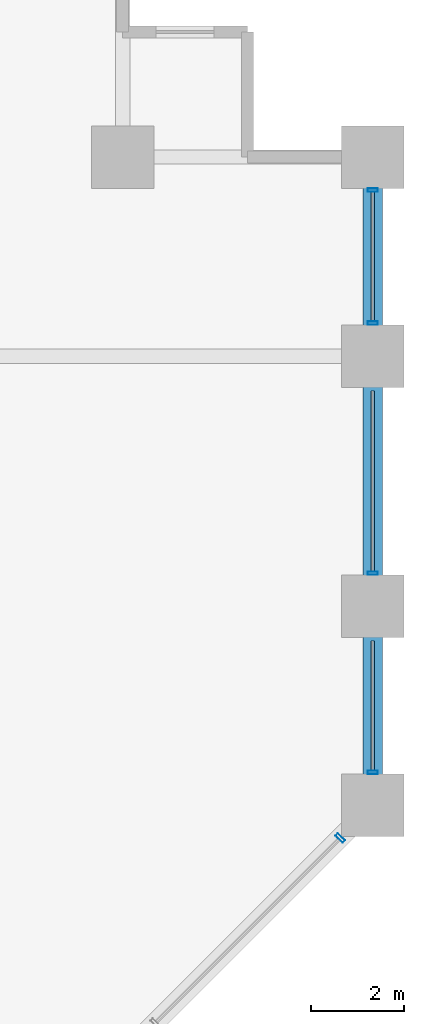
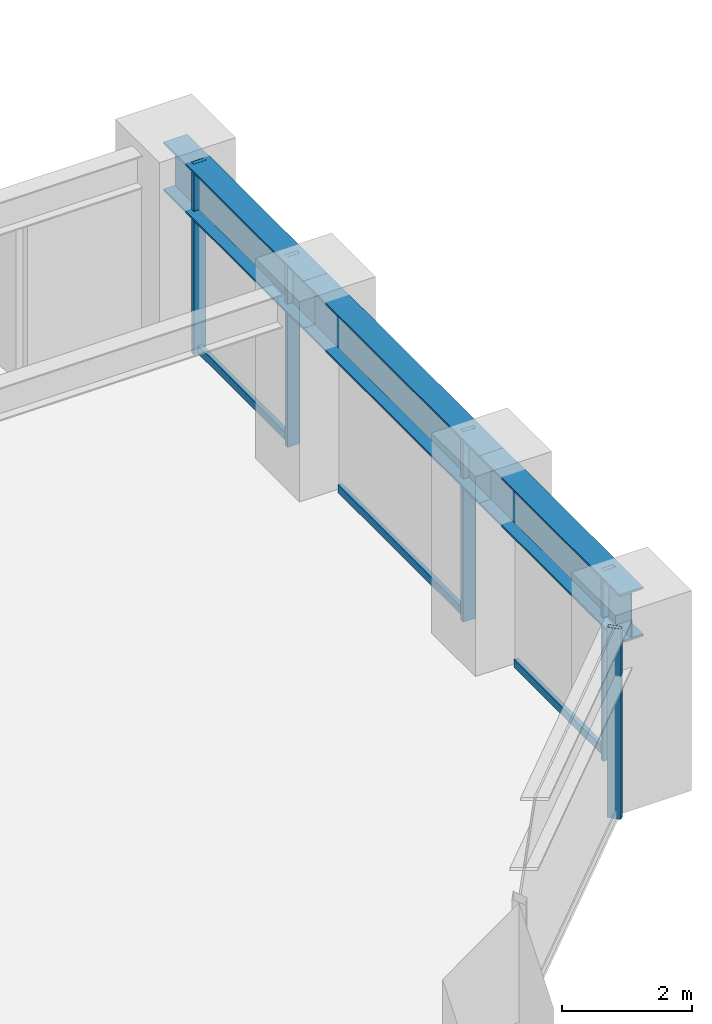
# One storey, part 17 of 25: 8 members, 3 beams, 2 elements without a shape of their own.
"""IFC4 building model written with IfcOpenShell, lengths in metres."""

import ifcopenshell
import ifcopenshell.guid

model = None  # the IFC model being written
_history = None  # IfcOwnerHistory: only IFC2X3 demands one
_inside = {}  # id of a spatial element -> (the spatial element, [elements in it])
_under = {}  # id of a project, library or spatial element -> (it, [spatial elements below it])
_declared = {}  # id of a project -> (the project, [libraries it declares])
_typed = {}  # id of a type object -> (the type object, [elements of that type])
_made_of = {}  # id of a material, layer set ... -> (it, [elements and type objects made of it])


def new_model(schema):
    """Start an empty IFC model of exactly this schema.

    Asked for "IFC4X3", IfcOpenShell would pick the latest addendum, in which some entities
    have other attributes; the version numbers below select the first issue.
    IFC2X3 requires an IfcOwnerHistory on every rooted entity: one is made here for all.
    """
    global model, _history
    if schema == "IFC4X3":
        model = ifcopenshell.file(schema_version=(4, 3, 0, 0))
    else:
        model = ifcopenshell.file(schema=schema)
    _inside.clear()
    _under.clear()
    _declared.clear()
    _typed.clear()
    _made_of.clear()
    _history = None
    if model.schema == "IFC2X3":
        org = make("IfcOrganization", Name="unknown")
        user = make(
            "IfcPersonAndOrganization",
            ThePerson=make("IfcPerson", FamilyName="unknown"),
            TheOrganization=org,
        )
        app = make(
            "IfcApplication",
            ApplicationDeveloper=org,
            Version="unknown",
            ApplicationFullName="unknown",
            ApplicationIdentifier="unknown",
        )
        _history = make(
            "IfcOwnerHistory",
            OwningUser=user,
            OwningApplication=app,
            ChangeAction="ADDED",
            CreationDate=0,
        )
    return model


def make(cls, **values):
    """One entity of the class cls with the attributes given. An attribute that is None is left unset."""
    return model.create_entity(
        cls, **{name: value for name, value in values.items() if value is not None}
    )


def rooted(cls, **values):
    """An entity with a GlobalId (a new one), such as an element, a storey or a relation."""
    return make(cls, GlobalId=ifcopenshell.guid.new(), OwnerHistory=_history, **values)


def si_unit(unit_type, name, prefix=None):
    """IfcSIUnit, for example si_unit("LENGTHUNIT", "METRE", prefix="MILLI")."""
    return make("IfcSIUnit", UnitType=unit_type, Prefix=prefix, Name=name)


def assignment(units):
    """IfcUnitAssignment: the units of a project."""
    return None if units is None else make("IfcUnitAssignment", Units=units)


def point(xyz):
    """IfcCartesianPoint."""
    return None if xyz is None else make("IfcCartesianPoint", Coordinates=xyz)


def direction(xyz):
    """IfcDirection."""
    return None if xyz is None else make("IfcDirection", DirectionRatios=xyz)


def frame(location, z_axis=None, x_axis=None):
    """IfcAxis2Placement3D, a coordinate frame: its origin and axes. An axis left out is left unset."""
    return make(
        "IfcAxis2Placement3D",
        Location=point(location),
        Axis=direction(z_axis),
        RefDirection=direction(x_axis),
    )


def frame_2d(location, x_axis=None):
    """IfcAxis2Placement2D, a coordinate frame in the plane: its origin and x axis."""
    return make(
        "IfcAxis2Placement2D", Location=point(location), RefDirection=direction(x_axis)
    )


def origin():
    """The frame at (0, 0, 0) with its axes left unset."""
    return frame((0.0, 0.0, 0.0))


def origin_2d():
    """The frame at (0, 0) in the plane with its x axis left unset."""
    return frame_2d((0.0, 0.0))


def place(relative_to, where):
    """IfcLocalPlacement: puts the frame where relative to a parent placement (None: the world)."""
    return make(
        "IfcLocalPlacement", PlacementRelTo=relative_to, RelativePlacement=where
    )


def context(
    kind, dimensions, precision=None, world=None, true_north=None, identifier=None
):
    """IfcGeometricRepresentationContext, for example the 3D "Model" context."""
    return make(
        "IfcGeometricRepresentationContext",
        ContextIdentifier=identifier,
        ContextType=kind,
        CoordinateSpaceDimension=dimensions,
        Precision=precision,
        WorldCoordinateSystem=world,
        TrueNorth=true_north,
    )


def subcontext(parent, identifier, kind, view, scale=None):
    """IfcGeometricRepresentationSubContext, for example "Body" below "Model"."""
    return make(
        "IfcGeometricRepresentationSubContext",
        ContextIdentifier=identifier,
        ContextType=kind,
        ParentContext=parent,
        TargetScale=scale,
        TargetView=view,
    )


def project(units=None, contexts=None):
    """IfcProject with its units and contexts."""
    return rooted(
        "IfcProject",
        Name="project",
        RepresentationContexts=contexts,
        UnitsInContext=assignment(units),
    )


def spatial(cls, under=None, at=None, **own):
    """A site, building, storey or space (cls), placed at a placement, below another one or the project."""
    s = rooted(cls, ObjectPlacement=at, **own)
    if under is not None:
        _under.setdefault(under.id(), (under, []))[1].append(s)
    return s


def profile(cls, at=None, kind="AREA", **sizes):
    """A parametric profile (cls). Its sizes go by their IFC names, for example OverallWidth=200.0."""
    return make(cls, ProfileType=kind, Position=at, **sizes)


def hollow_rectangle(**sizes):
    """IfcRectangleHollowProfileDef."""
    return profile("IfcRectangleHollowProfileDef", **sizes)


def i_section(**sizes):
    """IfcIShapeProfileDef."""
    return profile("IfcIShapeProfileDef", **sizes)


def extrude(swept, where, along, depth):
    """IfcExtrudedAreaSolid: the profile swept, set in the frame where, extruded along a direction by depth."""
    return make(
        "IfcExtrudedAreaSolid",
        SweptArea=swept,
        Position=where,
        ExtrudedDirection=direction(along),
        Depth=depth,
    )


def shape(context_of_items, identifier, shape_type, items):
    """IfcShapeRepresentation: the items that make up one representation, for example the "Body"."""
    return make(
        "IfcShapeRepresentation",
        ContextOfItems=context_of_items,
        RepresentationIdentifier=identifier,
        RepresentationType=shape_type,
        Items=items,
    )


def material(Name=None, Category=None):
    """IfcMaterial."""
    return make("IfcMaterial", Name=Name, Category=Category)


def layer(
    of_material, thickness, ventilated=None, Name=None, Category=None, Priority=None
):
    """IfcMaterialLayer: one layer of a wall or slab, of a material (None: an air gap)."""
    return make(
        "IfcMaterialLayer",
        Material=of_material,
        LayerThickness=thickness,
        IsVentilated=ventilated,
        Name=Name,
        Category=Category,
        Priority=Priority,
    )


def layer_set(layers, Name=None):
    """IfcMaterialLayerSet."""
    return make("IfcMaterialLayerSet", MaterialLayers=layers, LayerSetName=Name)


def material_profile(
    of_material, cross_section, Name=None, Category=None, Priority=None
):
    """IfcMaterialProfile: a cross section and its material."""
    return make(
        "IfcMaterialProfile",
        Name=Name,
        Material=of_material,
        Profile=cross_section,
        Priority=Priority,
        Category=Category,
    )


def profile_set(profiles, Name=None, composite=None):
    """IfcMaterialProfileSet."""
    return make(
        "IfcMaterialProfileSet",
        Name=Name,
        MaterialProfiles=profiles,
        CompositeProfile=composite,
    )


def made_of(thing, what):
    """Note that an element or type object is made of a material, layer set ...; save() writes the relation."""
    if what is not None:
        _made_of.setdefault(what.id(), (what, []))[1].append(thing)
    return thing


def type_object(cls, material=None, **own):
    """A type object (cls), such as IfcWallType, which elements share."""
    return made_of(rooted(cls, **own), material)


def element(
    cls,
    number,
    at=None,
    inside=None,
    cuts=None,
    type_object=None,
    material=None,
    context=None,
    identifier="Body",
    shape_type=None,
    held_by="IfcProductDefinitionShape",
    body=None,
    shapes=None,
    **own,
):
    """One element of the class cls, such as IfcWall. Its Tag is "e" and its number.

    at: its placement. inside: the storey or other place that contains it. cuts: it is an
    opening in that element (IfcRelVoidsElement). A single representation is given by context,
    identifier, shape_type and body (its items); several are given by shapes. held_by: the class
    of the entity that holds the representations. save() writes the other relations.
    """
    e = rooted(cls, Tag="e%d" % number, ObjectPlacement=at, **own)
    if body is not None:
        shapes = [shape(context, identifier, shape_type, body)]
    if shapes is not None:
        e.Representation = make(held_by, Representations=shapes)
    if inside is not None:
        _inside.setdefault(inside.id(), (inside, []))[1].append(e)
    if cuts is not None:
        rooted(
            "IfcRelVoidsElement", RelatingBuildingElement=cuts, RelatedOpeningElement=e
        )
    if type_object is not None:
        _typed.setdefault(type_object.id(), (type_object, []))[1].append(e)
    return made_of(e, material)


def aggregate(whole, parts):
    """IfcRelAggregates: a whole, such as a stair, and the parts it consists of."""
    return rooted("IfcRelAggregates", RelatingObject=whole, RelatedObjects=parts)


def save(model, path):
    """Write the relations noted so far, then the file.

    IfcRelAggregates (storeys below a building ...), IfcRelContainedInSpatialStructure (elements
    in a storey), IfcRelDefinesByType, IfcRelAssociatesMaterial and IfcRelDeclares: one each for
    every whole, place, type object, material and project.
    """
    for whole, parts in _under.values():
        aggregate(whole, parts)
    for where, things in _inside.values():
        rooted(
            "IfcRelContainedInSpatialStructure",
            RelatedElements=things,
            RelatingStructure=where,
        )
    for kind, things in _typed.values():
        rooted("IfcRelDefinesByType", RelatedObjects=things, RelatingType=kind)
    for what, things in _made_of.values():
        rooted("IfcRelAssociatesMaterial", RelatedObjects=things, RelatingMaterial=what)
    for by, libraries in _declared.values():
        rooted("IfcRelDeclares", RelatingContext=by, RelatedDefinitions=libraries)
    model.write(path)


model = new_model("IFC4")

# Units and contexts
model_context = context("Model", 3, precision=1e-05, world=origin(), true_north=direction((0.0, 1.0)))
body_context = subcontext(model_context, "Body", "Model", "MODEL_VIEW")
ifc_project = project(units=[si_unit("LENGTHUNIT", "METRE"), si_unit("AREAUNIT", "SQUARE_METRE"), si_unit("VOLUMEUNIT", "CUBIC_METRE"), si_unit("PLANEANGLEUNIT", "RADIAN"), si_unit("MASSUNIT", "GRAM", prefix="KILO")], contexts=[model_context])

# Site, building, storey
site_placement = place(None, origin())
site = spatial("IfcSite", under=ifc_project, at=site_placement, CompositionType="ELEMENT")
building_placement = place(site_placement, origin())
building = spatial("IfcBuilding", under=site, at=building_placement, Name="Surkhivell Harbour Commons", CompositionType="ELEMENT")
storey_placement = place(building_placement, frame((0.0, 0.0, 41.25)))
storey = spatial("IfcBuildingStorey", under=building, at=storey_placement, Name="L10", CompositionType="ELEMENT", Elevation=41.25)

# Beams
ifc_material_1 = material(Name="Steel S460", Category="steel")
ifc_material_profile_1 = material_profile(ifc_material_1, i_section(OverallWidth=0.419921875, OverallDepth=0.9208984375, WebThickness=0.021484375, FlangeThickness=0.03662109375, at=origin_2d()), Name="UB914x419x388")
ifc_profile_set_1 = profile_set([ifc_material_profile_1], Name="Steel S460")
beam_type = type_object("IfcBeamType", Name="BM-SPN-914A", PredefinedType="SPANDREL", material=ifc_profile_set_1)
beam_1_placement = place(storey_placement, frame((32.39990234375, 6.5, 3.109619140625), z_axis=(0.0, 1.0, 0.0), x_axis=(-1.0, 0.0, 0.0)))
element("IfcBeam", 1, at=beam_1_placement, inside=storey, type_object=beam_type, Name="L10 Tube Spandrel (32.4,6.5)", PredefinedType="SPANDREL", context=body_context, shape_type="SweptSolid", body=[
    extrude(i_section(OverallWidth=0.419921875, OverallDepth=0.9208984375, WebThickness=0.021484375, FlangeThickness=0.03662109375, at=origin_2d()), origin(), (0.0, 0.0, 1.0), 4.300048828125),
])
beam_2_placement = place(storey_placement, frame((32.39990234375, 10.800048828125, 3.109619140625), z_axis=(0.0, 1.0, 0.0), x_axis=(-1.0, 0.0, 0.0)))
element("IfcBeam", 2, at=beam_2_placement, inside=storey, type_object=beam_type, Name="L10 Tube Spandrel (32.4,10.8)", PredefinedType="SPANDREL", context=body_context, shape_type="SweptSolid", body=[
    extrude(i_section(OverallWidth=0.419921875, OverallDepth=0.9208984375, WebThickness=0.021484375, FlangeThickness=0.03662109375, at=origin_2d()), origin(), (0.0, 0.0, 1.0), 5.39990234375),
])
beam_3_placement = place(storey_placement, frame((32.39990234375, 16.199951171875, 3.109619140625), z_axis=(0.0, 1.0, 0.0), x_axis=(-1.0, 0.0, 0.0)))
element("IfcBeam", 3, at=beam_3_placement, inside=storey, type_object=beam_type, Name="L10 Tube Spandrel (32.4,16.2)", PredefinedType="SPANDREL", context=body_context, shape_type="SweptSolid", body=[
    extrude(i_section(OverallWidth=0.419921875, OverallDepth=0.9208984375, WebThickness=0.021484375, FlangeThickness=0.03662109375, at=origin_2d()), origin(), (0.0, 0.0, 1.0), 4.300048828125),
])

# Curtain wall, member
ifc_material_2 = material(Name="Anodised pale-metal aluminium and insulated glazing", Category="aluminium")
ifc_layer = layer(ifc_material_2, 0.219970703125)
ifc_layer_set = layer_set([ifc_layer], Name="Anodised pale-metal aluminium and insulated glazing")
curtain_wall_type = type_object("IfcCurtainWallType", Name="CW-SYS-Z1", PredefinedType="NOTDEFINED", material=ifc_layer_set)
curtain_wall_1_placement = place(storey_placement, origin())
curtain_wall_1 = element("IfcCurtainWall", 4, at=curtain_wall_1_placement, inside=storey, type_object=curtain_wall_type, Name="L10 Curtain Wall CW-L10-E01", PredefinedType="NOTDEFINED")
ifc_material_3 = material(Name="Anodised pale-metal aluminium alloy 6063-T6", Category="aluminium")
ifc_material_profile_2 = material_profile(ifc_material_3, hollow_rectangle(XDim=0.074951171875, YDim=0.219970703125, WallThickness=0.00390625, at=origin_2d()), Name="ALU-MULL-75x220")
ifc_profile_set_2 = profile_set([ifc_material_profile_2], Name="Anodised pale-metal aluminium alloy 6063-T6")
member_type_1 = type_object("IfcMemberType", Name="CWM-220", PredefinedType="MULLION", material=ifc_profile_set_2)
member_1_placement = place(storey_placement, frame((31.69677734375, 5.796630859375, 0.0), z_axis=(0.0, 0.0, 1.0), x_axis=(0.707106781187, 0.707106781187, 0.0)))
member_1 = element("IfcMember", 5, at=member_1_placement, type_object=member_type_1, Name="CW-Z1 mullion 7", PredefinedType="MULLION", context=body_context, shape_type="SweptSolid", body=[
    extrude(hollow_rectangle(XDim=0.074951171875, YDim=0.219970703125, WallThickness=0.00390625, at=origin_2d()), origin(), (0.0, 0.0, 1.0), 3.570068359375),
])
aggregate(curtain_wall_1, [member_1])

# Curtain wall, members
curtain_wall_2_placement = place(storey_placement, origin())
curtain_wall_2 = element("IfcCurtainWall", 6, at=curtain_wall_2_placement, inside=storey, type_object=curtain_wall_type, Name="L10 Curtain Wall CW-L10-E02", PredefinedType="NOTDEFINED")
member_2_placement = place(storey_placement, frame((32.39990234375, 7.214599609375, 0.0), z_axis=(0.0, 0.0, 1.0), x_axis=(0.0, 1.0, 0.0)))
member_2 = element("IfcMember", 7, at=member_2_placement, type_object=member_type_1, Name="CW-Z1 mullion 1", PredefinedType="MULLION", context=body_context, shape_type="SweptSolid", body=[
    extrude(hollow_rectangle(XDim=0.074951171875, YDim=0.219970703125, WallThickness=0.00390625, at=origin_2d()), origin(), (0.0, 0.0, 1.0), 3.570068359375),
])
member_3_placement = place(storey_placement, frame((32.39990234375, 11.514404296875, 0.0), z_axis=(0.0, 0.0, 1.0), x_axis=(0.0, 1.0, 0.0)))
member_3 = element("IfcMember", 8, at=member_3_placement, type_object=member_type_1, Name="CW-Z1 mullion 2", PredefinedType="MULLION", context=body_context, shape_type="SweptSolid", body=[
    extrude(hollow_rectangle(XDim=0.074951171875, YDim=0.219970703125, WallThickness=0.00390625, at=origin_2d()), origin(), (0.0, 0.0, 1.0), 3.570068359375),
])
member_4_placement = place(storey_placement, frame((32.39990234375, 16.91455078125, 0.0), z_axis=(0.0, 0.0, 1.0), x_axis=(0.0, 1.0, 0.0)))
member_4 = element("IfcMember", 9, at=member_4_placement, type_object=member_type_1, Name="CW-Z1 mullion 3", PredefinedType="MULLION", context=body_context, shape_type="SweptSolid", body=[
    extrude(hollow_rectangle(XDim=0.074951171875, YDim=0.219970703125, WallThickness=0.00390625, at=origin_2d()), origin(), (0.0, 0.0, 1.0), 3.570068359375),
])
member_5_placement = place(storey_placement, frame((32.39990234375, 19.785400390625, 0.0), z_axis=(0.0, 0.0, 1.0), x_axis=(0.0, 1.0, 0.0)))
member_5 = element("IfcMember", 10, at=member_5_placement, type_object=member_type_1, Name="CW-Z1 mullion 4", PredefinedType="MULLION", context=body_context, shape_type="SweptSolid", body=[
    extrude(hollow_rectangle(XDim=0.074951171875, YDim=0.219970703125, WallThickness=0.00390625, at=origin_2d()), origin(), (0.0, 0.0, 1.0), 3.570068359375),
])
ifc_material_profile_3 = material_profile(ifc_material_3, hollow_rectangle(XDim=0.074951171875, YDim=0.14990234375, WallThickness=0.00341796875, at=origin_2d()), Name="ALU-TRAN-75x150")
ifc_profile_set_3 = profile_set([ifc_material_profile_3], Name="Anodised pale-metal aluminium alloy 6063-T6")
member_type_2 = type_object("IfcMemberType", Name="CWT-150", PredefinedType="USERDEFINED", material=ifc_profile_set_3)
member_6_placement = place(storey_placement, frame((32.39990234375, 7.251953125, 0.074951171875), z_axis=(0.0, 1.0, 0.0), x_axis=(-1.0, 0.0, 0.0)))
member_6 = element("IfcMember", 11, at=member_6_placement, type_object=member_type_2, Name="CW-Z1 transom 1.1", ObjectType="TRANSOM", PredefinedType="USERDEFINED", context=body_context, shape_type="SweptSolid", body=[
    extrude(hollow_rectangle(XDim=0.074951171875, YDim=0.14990234375, WallThickness=0.00341796875, at=origin_2d()), origin(), (0.0, 0.0, 1.0), 2.796142578125),
])
member_7_placement = place(storey_placement, frame((32.39990234375, 11.552001953125, 0.074951171875), z_axis=(0.0, 1.0, 0.0), x_axis=(-1.0, 0.0, 0.0)))
member_7 = element("IfcMember", 12, at=member_7_placement, type_object=member_type_2, Name="CW-Z1 transom 2.1", ObjectType="TRANSOM", PredefinedType="USERDEFINED", context=body_context, shape_type="SweptSolid", body=[
    extrude(hollow_rectangle(XDim=0.074951171875, YDim=0.14990234375, WallThickness=0.00341796875, at=origin_2d()), origin(), (0.0, 0.0, 1.0), 3.89599609375),
])
member_8_placement = place(storey_placement, frame((32.39990234375, 16.951904296875, 0.074951171875), z_axis=(0.0, 1.0, 0.0), x_axis=(-1.0, 0.0, 0.0)))
member_8 = element("IfcMember", 13, at=member_8_placement, type_object=member_type_2, Name="CW-Z1 transom 3.1", ObjectType="TRANSOM", PredefinedType="USERDEFINED", context=body_context, shape_type="SweptSolid", body=[
    extrude(hollow_rectangle(XDim=0.074951171875, YDim=0.14990234375, WallThickness=0.00341796875, at=origin_2d()), origin(), (0.0, 0.0, 1.0), 2.796142578125),
])
aggregate(curtain_wall_2, [member_2, member_6, member_3, member_7, member_4, member_5, member_8])

save(model, "model.ifc")
